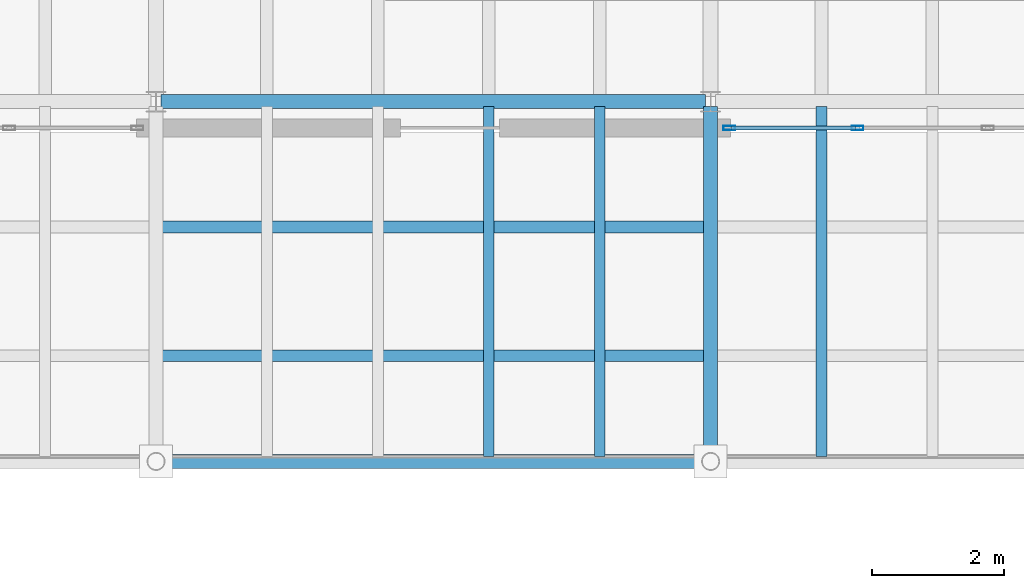
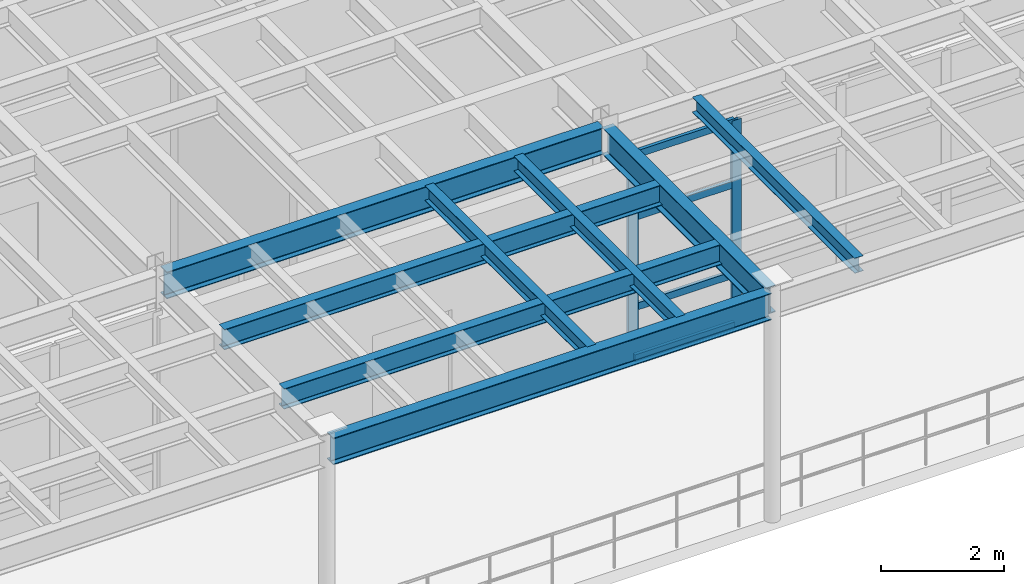
# One storey, part 44 of 105: 8 beams, 6 members, 1 element without a shape of its own.
"""IFC4 building model written with IfcOpenShell, lengths in metres."""

from ifc_helpers import new_model, si_unit, direction, frame, origin, origin_2d, place, context, subcontext, project, spatial, hollow_rectangle, i_section, extrude, material, layer, layer_set, material_profile, profile_set, type_object, element, aggregate, save


model = new_model("IFC4")

# Units and contexts
model_context = context("Model", 3, precision=1e-05, world=origin(), true_north=direction((0.0, 1.0)))
body_context = subcontext(model_context, "Body", "Model", "MODEL_VIEW")
ifc_project = project(units=[si_unit("LENGTHUNIT", "METRE"), si_unit("AREAUNIT", "SQUARE_METRE"), si_unit("VOLUMEUNIT", "CUBIC_METRE"), si_unit("PLANEANGLEUNIT", "RADIAN"), si_unit("MASSUNIT", "GRAM", prefix="KILO")], contexts=[model_context])

# Site, building, storey
site_placement = place(None, origin())
site = spatial("IfcSite", under=ifc_project, at=site_placement, CompositionType="ELEMENT")
building_placement = place(site_placement, origin())
building = spatial("IfcBuilding", under=site, at=building_placement, Name="Selat Folded Stagehouse", CompositionType="ELEMENT")
storey_placement = place(building_placement, frame((0.0, 0.0, 10.199951171875)))
storey = spatial("IfcBuildingStorey", under=building, at=storey_placement, Name="L02", CompositionType="ELEMENT", Elevation=10.199951171875)

# Beams
ifc_material_1 = material(Name="Steel S355", Category="steel")
ifc_material_profile_1 = material_profile(ifc_material_1, i_section(OverallWidth=0.210693359375, OverallDepth=0.53955078125, WebThickness=0.01171875, FlangeThickness=0.018798828125, FilletRadius=0.0126953125, at=origin_2d()), Name="UKB 533x210x109")
ifc_profile_set_1 = profile_set([ifc_material_profile_1], Name="Steel S355")
beam_type_1 = type_object("IfcBeamType", Name="BM-GIRD-533x210x109", PredefinedType="BEAM", material=ifc_profile_set_1)
beam_1_placement = place(storey_placement, frame((100.800048828125, 0.418212890625, 4.305419921875), z_axis=(0.0, 1.0, 0.0), x_axis=(-1.0, 0.0, 0.0)))
element("IfcBeam", 1, at=beam_1_placement, inside=storey, type_object=beam_type_1, Name="L02 primary y-girder 1067", PredefinedType="BEAM", context=body_context, shape_type="SweptSolid", body=[
    extrude(i_section(OverallWidth=0.210693359375, OverallDepth=0.53955078125, WebThickness=0.01171875, FlangeThickness=0.018798828125, FilletRadius=0.0126953125, at=origin_2d()), origin(), (0.0, 0.0, 1.0), 5.3046875),
])
ifc_material_profile_2 = material_profile(ifc_material_1, i_section(OverallWidth=0.209228515625, OverallDepth=0.533203125, WebThickness=0.010009765625, FlangeThickness=0.015625, FilletRadius=0.0126953125, at=origin_2d()), Name="UKB 533x210x92")
ifc_profile_set_2 = profile_set([ifc_material_profile_2], Name="Steel S355")
beam_type_2 = type_object("IfcBeamType", Name="BM-GIRD-533x210x92", PredefinedType="BEAM", material=ifc_profile_set_2)
beam_2_placement = place(storey_placement, frame((92.46826171875, 0.35009765625, 4.308349609375), z_axis=(1.0, 0.0, 0.0), x_axis=(0.0, 1.0, 0.0)))
element("IfcBeam", 2, at=beam_2_placement, inside=storey, type_object=beam_type_2, Name="L02 primary x-girder 0988", PredefinedType="BEAM", context=body_context, shape_type="SweptSolid", body=[
    extrude(i_section(OverallWidth=0.209228515625, OverallDepth=0.533203125, WebThickness=0.010009765625, FlangeThickness=0.015625, FilletRadius=0.0126953125, at=origin_2d()), origin(), (0.0, 0.0, 1.0), 8.263427734375),
])
beam_3_placement = place(storey_placement, frame((92.47705078125, 5.800048828125, 4.308349609375), z_axis=(1.0, 0.0, 0.0), x_axis=(0.0, 1.0, 0.0)))
element("IfcBeam", 3, at=beam_3_placement, inside=storey, type_object=beam_type_2, Name="L02 primary x-girder 0996", PredefinedType="BEAM", context=body_context, shape_type="SweptSolid", body=[
    extrude(i_section(OverallWidth=0.209228515625, OverallDepth=0.533203125, WebThickness=0.010009765625, FlangeThickness=0.015625, FilletRadius=0.0126953125, at=origin_2d()), origin(), (0.0, 0.0, 1.0), 8.245849609375),
])

# Curtain wall, members
ifc_material_2 = material(Name="Aluminium 6063-T6", Category="aluminium")
ifc_layer = layer(ifc_material_2, 0.2099609375)
ifc_layer_set = layer_set([ifc_layer], Name="Aluminium 6063-T6")
curtain_wall_type = type_object("IfcCurtainWallType", Name="CW-FYR-SOUTH", PredefinedType="NOTDEFINED", material=ifc_layer_set)
curtain_wall_placement = place(storey_placement, origin())
curtain_wall = element("IfcCurtainWall", 4, at=curtain_wall_placement, inside=storey, type_object=curtain_wall_type, Name="L02 curtain wall CW-FYR-L02-05", PredefinedType="NOTDEFINED")
ifc_material_profile_3 = material_profile(ifc_material_2, hollow_rectangle(XDim=0.06494140625, YDim=0.179931640625, WallThickness=0.00390625, at=origin_2d()), Name="ALU 180x65x4.0")
ifc_profile_set_3 = profile_set([ifc_material_profile_3], Name="Aluminium 6063-T6")
member_type_1 = type_object("IfcMemberType", Name="CWM-MUL-180x65", PredefinedType="MULLION", material=ifc_profile_set_3)
member_1_placement = place(storey_placement, frame((103.02490234375, 5.39990234375, 0.0), z_axis=(0.0, 0.0, 1.0), x_axis=(0.0, -1.0, 0.0)))
member_1 = element("IfcMember", 5, at=member_1_placement, type_object=member_type_1, Name="CW-04 mullion 4", PredefinedType="MULLION", context=body_context, shape_type="SweptSolid", body=[
    extrude(hollow_rectangle(XDim=0.06494140625, YDim=0.179931640625, WallThickness=0.00390625, at=origin_2d()), origin(), (0.0, 0.0, 1.0), 4.1201171875),
])
member_2_placement = place(storey_placement, frame((101.08251953125, 5.39990234375, 0.0), z_axis=(0.0, 0.0, 1.0), x_axis=(0.0, -1.0, 0.0)))
member_2 = element("IfcMember", 6, at=member_2_placement, type_object=member_type_1, Name="CW-04 mullion 5", PredefinedType="MULLION", context=body_context, shape_type="SweptSolid", body=[
    extrude(hollow_rectangle(XDim=0.06494140625, YDim=0.179931640625, WallThickness=0.00390625, at=origin_2d()), origin(), (0.0, 0.0, 1.0), 4.1201171875),
])
ifc_material_profile_4 = material_profile(ifc_material_2, hollow_rectangle(XDim=0.06494140625, YDim=0.139892578125, WallThickness=0.00390625, at=origin_2d()), Name="ALU 140x65x4.0")
ifc_profile_set_4 = profile_set([ifc_material_profile_4], Name="Aluminium 6063-T6")
member_type_2 = type_object("IfcMemberType", Name="CWM-TRN-140x65", PredefinedType="USERDEFINED", material=ifc_profile_set_4)
member_3_placement = place(storey_placement, frame((102.992431640625, 5.39990234375, 0.032470703125), z_axis=(-1.0, 0.0, 0.0), x_axis=(0.0, -1.0, 0.0)))
member_3 = element("IfcMember", 7, at=member_3_placement, type_object=member_type_2, Name="CW-04 transom 4.1", ObjectType="TRANSOM", PredefinedType="USERDEFINED", context=body_context, shape_type="SweptSolid", body=[
    extrude(hollow_rectangle(XDim=0.06494140625, YDim=0.139892578125, WallThickness=0.00390625, at=origin_2d()), origin(), (0.0, 0.0, 1.0), 1.87744140625),
])
member_4_placement = place(storey_placement, frame((102.992431640625, 5.39990234375, 1.050048828125), z_axis=(-1.0, 0.0, 0.0), x_axis=(0.0, -1.0, 0.0)))
member_4 = element("IfcMember", 8, at=member_4_placement, type_object=member_type_2, Name="CW-04 transom 4.2", ObjectType="TRANSOM", PredefinedType="USERDEFINED", context=body_context, shape_type="SweptSolid", body=[
    extrude(hollow_rectangle(XDim=0.06494140625, YDim=0.139892578125, WallThickness=0.00390625, at=origin_2d()), origin(), (0.0, 0.0, 1.0), 1.87744140625),
])
member_5_placement = place(storey_placement, frame((102.992431640625, 5.39990234375, 2.85009765625), z_axis=(-1.0, 0.0, 0.0), x_axis=(0.0, -1.0, 0.0)))
member_5 = element("IfcMember", 9, at=member_5_placement, type_object=member_type_2, Name="CW-04 transom 4.3", ObjectType="TRANSOM", PredefinedType="USERDEFINED", context=body_context, shape_type="SweptSolid", body=[
    extrude(hollow_rectangle(XDim=0.06494140625, YDim=0.139892578125, WallThickness=0.00390625, at=origin_2d()), origin(), (0.0, 0.0, 1.0), 1.87744140625),
])
member_6_placement = place(storey_placement, frame((102.992431640625, 5.39990234375, 4.087646484375), z_axis=(-1.0, 0.0, 0.0), x_axis=(0.0, -1.0, 0.0)))
member_6 = element("IfcMember", 10, at=member_6_placement, type_object=member_type_2, Name="CW-04 transom 4.4", ObjectType="TRANSOM", PredefinedType="USERDEFINED", context=body_context, shape_type="SweptSolid", body=[
    extrude(hollow_rectangle(XDim=0.06494140625, YDim=0.139892578125, WallThickness=0.00390625, at=origin_2d()), origin(), (0.0, 0.0, 1.0), 1.87744140625),
])
aggregate(curtain_wall, [member_1, member_2, member_3, member_4, member_5, member_6])

# Beams
ifc_material_profile_5 = material_profile(ifc_material_1, i_section(OverallWidth=0.1650390625, OverallDepth=0.303466796875, WebThickness=0.006103515625, FlangeThickness=0.01025390625, FilletRadius=0.0087890625, at=origin_2d()), Name="UKB 305x165x40")
ifc_profile_set_5 = profile_set([ifc_material_profile_5], Name="Steel S355")
beam_type_3 = type_object("IfcBeamType", Name="JST-305x165x40", PredefinedType="JOIST", material=ifc_profile_set_5)
for number, where, z_axis, x_axis, name in (
    (11, (97.43994140625, 0.42333984375, 4.42333984375), (0.0, 1.0, 0.0), (-1.0, 0.0, 0.0), "L02 secondary floor joist 1171"),
    (12, (99.1201171875, 0.42333984375, 4.42333984375), (0.0, 1.0, 0.0), (-1.0, 0.0, 0.0), "L02 secondary floor joist 1173"),
    (13, (102.47998046875, 0.42333984375, 4.42333984375), (0.0, 1.0, 0.0), (-1.0, 0.0, 0.0), "L02 secondary floor joist 1175"),
):
    element("IfcBeam", number, at=place(storey_placement, frame(where, z_axis=z_axis, x_axis=x_axis)), inside=storey, type_object=beam_type_3, Name=name, PredefinedType="JOIST", context=body_context, shape_type="SweptSolid", body=[
        extrude(i_section(OverallWidth=0.1650390625, OverallDepth=0.303466796875, WebThickness=0.006103515625, FlangeThickness=0.01025390625, FilletRadius=0.0087890625, at=origin_2d()), origin(), (0.0, 0.0, 1.0), 5.303466796875),
    ])
ifc_material_profile_6 = material_profile(ifc_material_1, i_section(OverallWidth=0.177978515625, OverallDepth=0.406494140625, WebThickness=0.0078125, FlangeThickness=0.0126953125, FilletRadius=0.01025390625, at=origin_2d()), Name="UKB 406x178x60")
ifc_profile_set_6 = profile_set([ifc_material_profile_6], Name="Steel S355")
beam_type_4 = type_object("IfcBeamType", Name="JST-406x178x60", PredefinedType="JOIST", material=ifc_profile_set_6)
for number, where, z_axis, x_axis, name in (
    (14, (92.473876953125, 1.949951171875, 4.371826171875), (1.0, 0.0, 0.0), (0.0, 1.0, 0.0), "L02 secondary x-joist 1205"),
    (15, (92.473876953125, 3.89990234375, 4.371826171875), (1.0, 0.0, 0.0), (0.0, 1.0, 0.0), "L02 secondary x-joist 1214"),
):
    element("IfcBeam", number, at=place(storey_placement, frame(where, z_axis=z_axis, x_axis=x_axis)), inside=storey, type_object=beam_type_4, Name=name, PredefinedType="JOIST", context=body_context, shape_type="SweptSolid", body=[
        extrude(i_section(OverallWidth=0.177978515625, OverallDepth=0.406494140625, WebThickness=0.0078125, FlangeThickness=0.0126953125, FilletRadius=0.01025390625, at=origin_2d()), origin(), (0.0, 0.0, 1.0), 8.25244140625),
    ])

save(model, "model.ifc")
